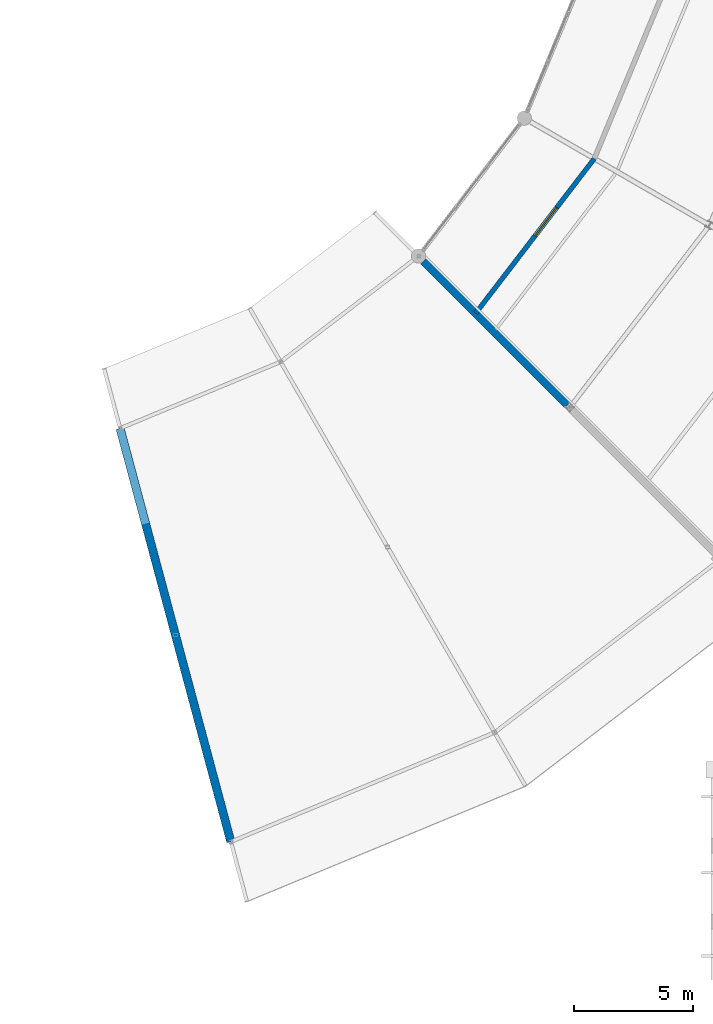
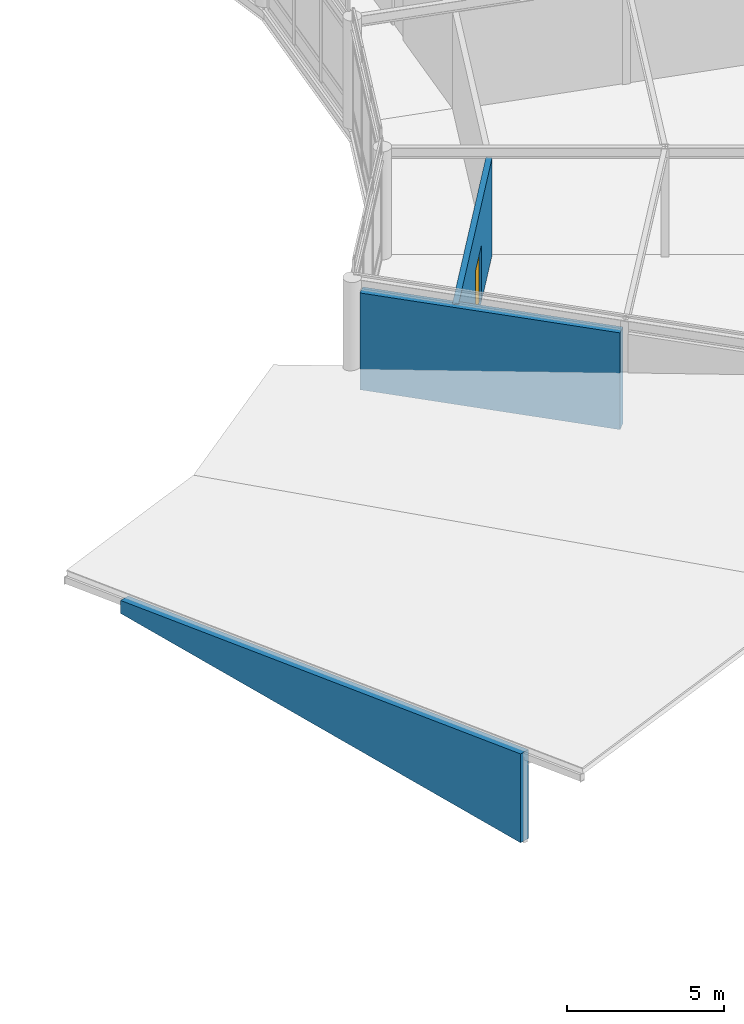
# One storey, part 159 of 185: 3 walls, 1 door, 1 opening.
"""IFC4 building model written with IfcOpenShell, lengths in metres."""

from ifc_helpers import new_model, si_unit, direction, frame, frame_2d, origin, place, context, subcontext, project, spatial, polyline, rectangle, outline, extrude, material, layer, layer_set, type_object, element, fill, save


model = new_model("IFC4")

# Units and contexts
model_context = context("Model", 3, precision=1e-05, world=origin(), true_north=direction((0.0, 1.0)))
body_context = subcontext(model_context, "Body", "Model", "MODEL_VIEW")
ifc_project = project(units=[si_unit("LENGTHUNIT", "METRE"), si_unit("AREAUNIT", "SQUARE_METRE"), si_unit("VOLUMEUNIT", "CUBIC_METRE"), si_unit("PLANEANGLEUNIT", "RADIAN"), si_unit("MASSUNIT", "GRAM", prefix="KILO")], contexts=[model_context])

# Site, building, storey
site_placement = place(None, origin())
site = spatial("IfcSite", under=ifc_project, at=site_placement, CompositionType="ELEMENT")
building_placement = place(site_placement, origin())
building = spatial("IfcBuilding", under=site, at=building_placement, Name="Vondelvale Polytechnic", CompositionType="ELEMENT")
storey_placement = place(building_placement, frame((0.0, 0.0, 9.60009765625)))
storey = spatial("IfcBuildingStorey", under=building, at=storey_placement, Name="L02", CompositionType="ELEMENT", Elevation=9.60009765625)

# Walls
ifc_material_1 = material(Name="Amsterdam School iron-spot clinker clay brickwork", Category="masonry")
ifc_layer_1 = layer(ifc_material_1, 0.35009765625)
ifc_layer_set_1 = layer_set([ifc_layer_1], Name="WL-BRICK-350")
wall_type_1 = type_object("IfcWallType", Name="WL-BRICK-350", PredefinedType="SOLIDWALL", material=ifc_layer_set_1)
wall_1_placement = place(storey_placement, frame((109.246826171875, 44.9541015625, 0.02001953125), z_axis=(0.0, 0.0, 1.0), x_axis=(0.258828286985, -0.965923349887, 0.0)))
element("IfcWall", 1, at=wall_1_placement, inside=storey, type_object=wall_type_1, Name="Ring South entrance portal raking brick gable R19", PredefinedType="SOLIDWALL", context=body_context, shape_type="SweptSolid", body=[
    extrude(outline(polyline([(0.0, 0.0), (18.0, 0.0), (18.0, 3.451171875), (0.0, 0.503173828125), (0.0, 0.0)])), frame((0.0, 0.175048828125, 0.0), z_axis=(0.0, -1.0, 0.0), x_axis=(1.0, 0.0, 0.0)), (0.0, 0.0, 1.0), 0.35009765625),
])
wall_2_placement = place(storey_placement, frame((122.01171875, 51.98828125, 0.0), z_axis=(0.0, 0.0, 1.0), x_axis=(0.707106781187, -0.707106781187, 0.0)))
element("IfcWall", 2, at=wall_2_placement, inside=storey, type_object=wall_type_1, Name="L02 exterior masonry facade wall", PredefinedType="SOLIDWALL", context=body_context, shape_type="SweptSolid", body=[
    extrude(rectangle(XDim=8.568115234375, YDim=0.35009765625, at=frame_2d((4.2841796875, 0.0))), origin(), (0.0, 0.0, 1.0), 3.760009765625),
])

# Wall, opening, door
ifc_material_2 = material(Name="Fire-rated double-layer plasterboard stud partition")
ifc_layer_2 = layer(ifc_material_2, 0.199951171875)
ifc_layer_set_2 = layer_set([ifc_layer_2], Name="WL-CORR-200")
wall_type_2 = type_object("IfcWallType", Name="WL-CORR-200", PredefinedType="PARTITIONING", material=ifc_layer_set_2)
wall_3_placement = place(storey_placement, frame((124.203125, 49.796875, 0.0), z_axis=(0.0, 0.0, 1.0), x_axis=(0.608756011694, 0.793357497113, 0.0)))
wall_3 = element("IfcWall", 3, at=wall_3_placement, inside=storey, type_object=wall_type_2, Name="L02 interior acoustic partition", PredefinedType="PARTITIONING", context=body_context, shape_type="SweptSolid", body=[
    extrude(rectangle(XDim=8.197021484375, YDim=0.199951171875, at=frame_2d((4.0986328125, 0.0))), origin(), (0.0, 0.0, 1.0), 3.77685546875),
])
opening_placement = place(wall_3_placement, frame((4.10009765625, 0.0, 0.0)))
opening = element("IfcOpeningElement", 4, at=opening_placement, cuts=wall_3, Name="Opening ID-0334", PredefinedType="OPENING", context=body_context, shape_type="SweptSolid", body=[
    extrude(rectangle(XDim=1.5, YDim=2.199951171875, at=frame_2d((0.75, 1.10009765625))), frame((0.0, 0.10986328125, 0.0), z_axis=(0.0, -1.0, 0.0), x_axis=(1.0, 0.0, 0.0)), (0.0, 0.0, 1.0), 0.219970703125),
])
ifc_material_3 = material(Name="Fire-rated solid Tasmanian oak joinery")
door_type = type_object("IfcDoorType", Name="DR-LAB-1500x2200", OperationType="DOUBLE_DOOR_SINGLE_SWING", PredefinedType="DOOR", material=ifc_material_3)
door_placement = place(opening_placement, origin())
door = element("IfcDoor", 5, at=door_placement, inside=storey, type_object=door_type, Name="L02 interior room door ID-0334", OperationType="DOUBLE_DOOR_SINGLE_SWING", OverallHeight=2.199951171875, OverallWidth=1.5, PredefinedType="DOOR", context=body_context, shape_type="SweptSolid", body=[
    extrude(rectangle(XDim=1.5, YDim=2.199951171875, at=frame_2d((0.75, 1.10009765625))), frame((0.0, 0.02490234375, 0.0), z_axis=(0.0, -1.0, 0.0), x_axis=(1.0, 0.0, 0.0)), (0.0, 0.0, 1.0), 0.050048828125),
])
fill(opening, door)

save(model, "model.ifc")
